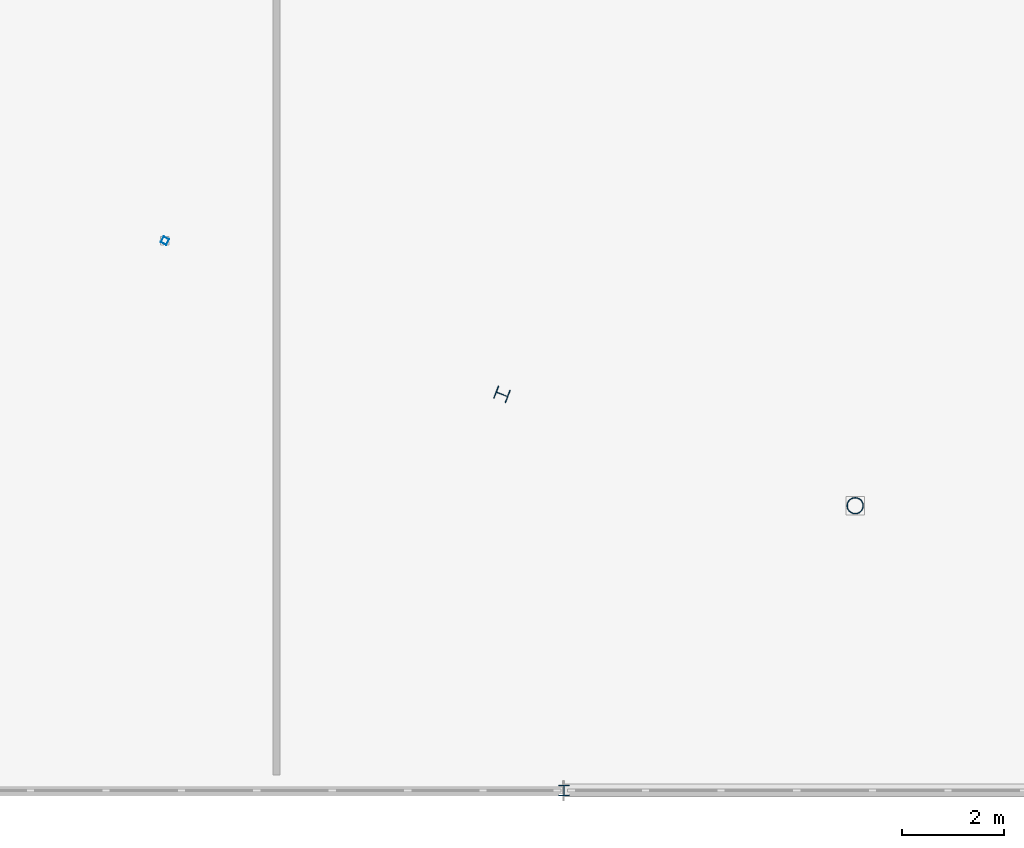
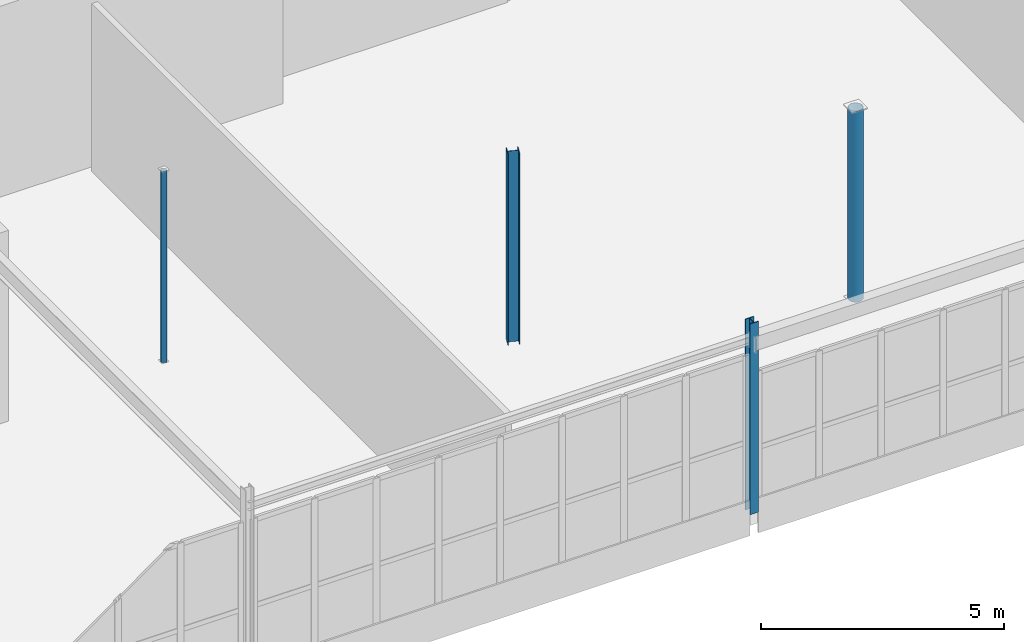
# One storey, part 6 of 226: 4 columns.
"""IFC4 building model written with IfcOpenShell, lengths in metres."""

from ifc_helpers import new_model, si_unit, direction, frame, origin, origin_2d, place, context, subcontext, project, spatial, hollow_rectangle, hollow_circle, i_section, extrude, material, material_profile, profile_set, type_object, element, save


model = new_model("IFC4")

# Units and contexts
model_context = context("Model", 3, precision=1e-05, world=origin(), true_north=direction((0.0, 1.0)))
body_context = subcontext(model_context, "Body", "Model", "MODEL_VIEW")
ifc_project = project(units=[si_unit("LENGTHUNIT", "METRE"), si_unit("AREAUNIT", "SQUARE_METRE"), si_unit("VOLUMEUNIT", "CUBIC_METRE"), si_unit("PLANEANGLEUNIT", "RADIAN"), si_unit("MASSUNIT", "GRAM", prefix="KILO")], contexts=[model_context])

# Site, building, storey
site_placement = place(None, origin())
site = spatial("IfcSite", under=ifc_project, at=site_placement, CompositionType="ELEMENT")
building_placement = place(site_placement, origin())
building = spatial("IfcBuilding", under=site, at=building_placement, Name="Tarnwether General Hospital", CompositionType="ELEMENT")
storey_placement = place(building_placement, frame((0.0, 0.0, 4.800048828125)))
storey = spatial("IfcBuildingStorey", under=building, at=storey_placement, Name="L01", CompositionType="ELEMENT", Elevation=4.800048828125)

# Columns
ifc_material_1 = material(Name="Steel Grade 350 (350 MPa)", Category="steel")
ifc_material_profile_1 = material_profile(ifc_material_1, i_section(OverallWidth=0.25390625, OverallDepth=0.25390625, WebThickness=0.008544921875, FlangeThickness=0.01416015625, at=origin_2d()), Name="250UC72.9")
ifc_profile_set_1 = profile_set([ifc_material_profile_1], Name="Steel Grade 350 (350 MPa)")
column_type_1 = type_object("IfcColumnType", Name="COL-24", PredefinedType="COLUMN", material=ifc_profile_set_1)
column_1_placement = place(storey_placement, frame((70.784912109375, 7.73193359375, 0.0), z_axis=(0.0, 0.0, 1.0), x_axis=(0.358367949545, 0.933580426497, 0.0)))
element("IfcColumn", 1, at=column_1_placement, inside=storey, type_object=column_type_1, Name="Column COLG-L01-7078_773", PredefinedType="COLUMN", context=body_context, shape_type="SweptSolid", body=[
    extrude(i_section(OverallWidth=0.25390625, OverallDepth=0.25390625, WebThickness=0.008544921875, FlangeThickness=0.01416015625, at=origin_2d()), origin(), (0.0, 0.0, 1.0), 4.800048828125),
])
ifc_material_2 = material(Name="Steel Grade 350 (350 MPa)", Category="steel")
ifc_material_profile_2 = material_profile(ifc_material_2, i_section(OverallWidth=0.205078125, OverallDepth=0.2099609375, WebThickness=0.00927734375, FlangeThickness=0.01416015625, at=origin_2d()), Name="200UC59.5")
ifc_profile_set_2 = profile_set([ifc_material_profile_2], Name="Steel Grade 350 (350 MPa)")
column_type_2 = type_object("IfcColumnType", Name="COL-25", PredefinedType="COLUMN", material=ifc_profile_set_2)
column_2_placement = place(storey_placement, frame((72.0, 0.0, 0.0), z_axis=(0.0, 0.0, 1.0), x_axis=(1.0, 0.0, 0.0)))
element("IfcColumn", 2, at=column_2_placement, inside=storey, type_object=column_type_2, Name="Column COLG-L01-7200_0", PredefinedType="COLUMN", context=body_context, shape_type="SweptSolid", body=[
    extrude(i_section(OverallWidth=0.205078125, OverallDepth=0.2099609375, WebThickness=0.00927734375, FlangeThickness=0.01416015625, at=origin_2d()), origin(), (0.0, 0.0, 1.0), 4.800048828125),
])
ifc_material_3 = material(Name="Steel Grade C350L0 (350 MPa)", Category="steel")
ifc_material_profile_3 = material_profile(ifc_material_3, hollow_circle(Radius=0.161865234375, WallThickness=0.0126953125, at=origin_2d()), Name="CHS323.9x12.7")
ifc_profile_set_3 = profile_set([ifc_material_profile_3], Name="Steel Grade C350L0 (350 MPa)")
column_type_3 = type_object("IfcColumnType", Name="COL-26", PredefinedType="COLUMN", material=ifc_profile_set_3)
column_3_placement = place(storey_placement, frame((77.677978515625, 5.55810546875, 0.0), z_axis=(0.0, 0.0, 1.0), x_axis=(0.2419218956, 0.970295726276, 0.0)))
element("IfcColumn", 3, at=column_3_placement, inside=storey, type_object=column_type_3, Name="Column COLG-L01-7768_556", PredefinedType="COLUMN", context=body_context, shape_type="SweptSolid", body=[
    extrude(hollow_circle(Radius=0.161865234375, WallThickness=0.0126953125, at=origin_2d()), origin(), (0.0, 0.0, 1.0), 4.800048828125),
])
ifc_material_4 = material(Name="Steel Grade C350L0 (350 MPa)", Category="steel")
ifc_material_profile_4 = material_profile(ifc_material_4, hollow_rectangle(XDim=0.125, YDim=0.125, WallThickness=0.006103515625, at=origin_2d()), Name="SHS125x125x6")
ifc_profile_set_4 = profile_set([ifc_material_profile_4], Name="Steel Grade C350L0 (350 MPa)")
column_type_4 = type_object("IfcColumnType", Name="COL-34", PredefinedType="COLUMN", material=ifc_profile_set_4)
column_4_placement = place(storey_placement, frame((64.20703125, 10.72998046875, 0.0), z_axis=(0.0, 0.0, 1.0), x_axis=(0.469471562786, 0.882947592859, 0.0)))
element("IfcColumn", 4, at=column_4_placement, inside=storey, type_object=column_type_4, Name="Column COLG-L01-6421_1073", PredefinedType="COLUMN", context=body_context, shape_type="SweptSolid", body=[
    extrude(hollow_rectangle(XDim=0.125, YDim=0.125, WallThickness=0.006103515625, at=origin_2d()), origin(), (0.0, 0.0, 1.0), 4.800048828125),
])

save(model, "model.ifc")
